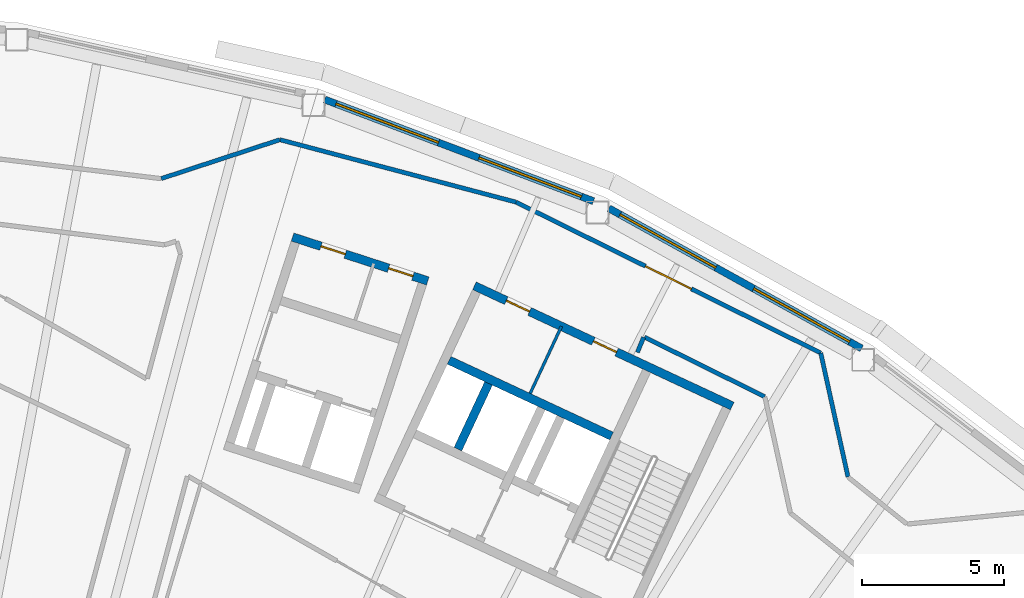
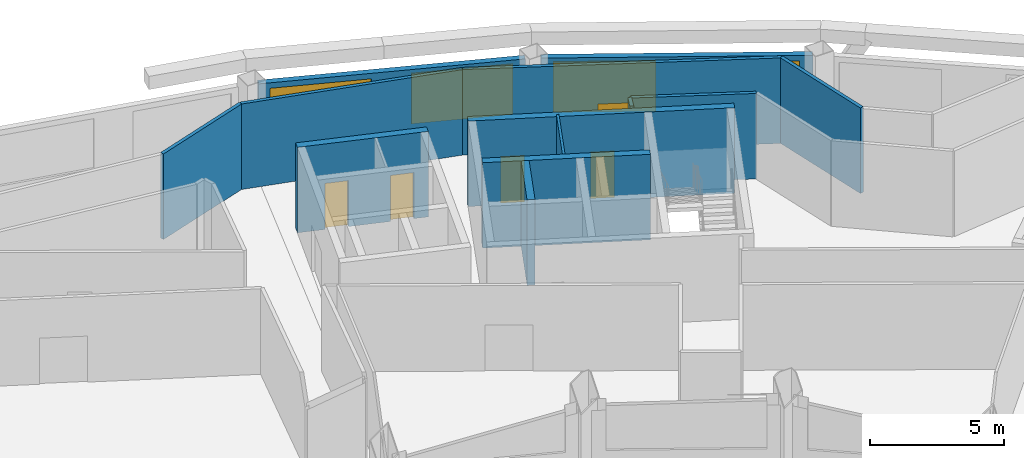
# One storey, part 10 of 13: 13 walls, 5 doors, 4 windows, 9 openings.
"""IFC4 building model written with IfcOpenShell, lengths in metres."""

from ifc_helpers import new_model, si_unit, direction, frame, frame_2d, origin, place, context, subcontext, project, spatial, rectangle, extrude, material, layer, layer_set, type_object, element, fill, save


model = new_model("IFC4")

# Units and contexts
model_context = context("Model", 3, precision=1e-05, world=origin(), true_north=direction((0.0, 1.0)))
body_context = subcontext(model_context, "Body", "Model", "MODEL_VIEW")
ifc_project = project(units=[si_unit("LENGTHUNIT", "METRE"), si_unit("AREAUNIT", "SQUARE_METRE"), si_unit("VOLUMEUNIT", "CUBIC_METRE"), si_unit("PLANEANGLEUNIT", "RADIAN"), si_unit("MASSUNIT", "GRAM", prefix="KILO")], contexts=[model_context])

# Site, building, storey
site_placement = place(None, origin())
site = spatial("IfcSite", under=ifc_project, at=site_placement, CompositionType="ELEMENT")
building_placement = place(site_placement, origin())
building = spatial("IfcBuilding", under=site, at=building_placement, Name="Tuul Gate Civic Tower", CompositionType="ELEMENT")
storey_placement = place(building_placement, frame((0.0, 0.0, 340.699951171875)))
storey = spatial("IfcBuildingStorey", under=building, at=storey_placement, Name="Level 77", CompositionType="ELEMENT", Elevation=340.699951171875)

# Wall
ifc_material_1 = material(Name="Concrete C50/60", Category="concrete")
ifc_layer_1 = layer(ifc_material_1, 0.300048828125)
ifc_layer_set_1 = layer_set([ifc_layer_1], Name="Concrete C50/60")
wall_type_1 = type_object("IfcWallType", Name="Core wall C50/60", PredefinedType="SHEAR", material=ifc_layer_set_1)
wall_1_placement = place(storey_placement, frame((33.75, -0.873779296875, 0.0), z_axis=(0.0, 0.0, 1.0), x_axis=(-0.906300917592, 0.422632992999, 0.0)))
element("IfcWall", 1, at=wall_1_placement, inside=storey, type_object=wall_type_1, Name="Core wall", PredefinedType="SHEAR", context=body_context, shape_type="SweptSolid", body=[
    extrude(rectangle(XDim=6.300048828125, YDim=0.300048828125, at=frame_2d((3.14990234375, 0.0))), origin(), (0.0, 0.0, 1.0), 3.900146484375),
])

# Wall, openings, doors
wall_2_placement = place(storey_placement, frame((37.993408203125, 0.181884765625, 0.0), z_axis=(0.0, 0.0, 1.0), x_axis=(-0.906310338845, 0.422612789327, 0.0)))
wall_2 = element("IfcWall", 2, at=wall_2_placement, inside=storey, type_object=wall_type_1, Name="Core wall", PredefinedType="SHEAR", context=body_context, shape_type="SweptSolid", body=[
    extrude(rectangle(XDim=9.999755859375, YDim=0.300048828125, at=frame_2d((5.0, 0.0))), origin(), (0.0, 0.0, 1.0), 3.900146484375),
])
opening_1_placement = place(wall_2_placement, frame((4.487548828125, 0.0, 0.0)))
opening_1 = element("IfcOpeningElement", 3, at=opening_1_placement, cuts=wall_2, Name="Opening AC-D21", PredefinedType="OPENING", context=body_context, shape_type="SweptSolid", body=[
    extrude(rectangle(XDim=0.89990234375, YDim=2.10009765625, at=frame_2d((0.449951171875, 1.050048828125))), frame((0.0, 0.16015625, 0.0), z_axis=(0.0, -1.0, 0.0), x_axis=(1.0, 0.0, 0.0)), (0.0, 0.0, 1.0), 0.320068359375),
])
opening_2_placement = place(wall_2_placement, frame((7.862548828125, 0.0, 0.0)))
opening_2 = element("IfcOpeningElement", 4, at=opening_2_placement, cuts=wall_2, Name="Opening AC-D22", PredefinedType="OPENING", context=body_context, shape_type="SweptSolid", body=[
    extrude(rectangle(XDim=0.89990234375, YDim=2.10009765625, at=frame_2d((0.449951171875, 1.050048828125))), frame((0.0, 0.16015625, 0.0), z_axis=(0.0, -1.0, 0.0), x_axis=(1.0, 0.0, 0.0)), (0.0, 0.0, 1.0), 0.320068359375),
])
ifc_material_2 = material(Name="Timber door leaf", Category="wood")
door_type_1 = type_object("IfcDoorType", Name="Door D09", OperationType="NOTDEFINED", PredefinedType="DOOR", material=ifc_material_2)
door_1_placement = place(opening_1_placement, origin())
door_1 = element("IfcDoor", 5, at=door_1_placement, inside=storey, type_object=door_type_1, Name="Door AC-D21", OperationType="SINGLE_SWING_LEFT", OverallHeight=2.10009765625, OverallWidth=0.89990234375, PredefinedType="DOOR", context=body_context, shape_type="SweptSolid", body=[
    extrude(rectangle(XDim=0.89990234375, YDim=2.10009765625, at=frame_2d((0.449951171875, 1.050048828125))), frame((0.0, 0.02490234375, 0.0), z_axis=(0.0, -1.0, 0.0), x_axis=(1.0, 0.0, 0.0)), (0.0, 0.0, 1.0), 0.050048828125),
])
fill(opening_1, door_1)
door_2_placement = place(opening_2_placement, origin())
door_2 = element("IfcDoor", 6, at=door_2_placement, inside=storey, type_object=door_type_1, Name="Door AC-D22", OperationType="SINGLE_SWING_RIGHT", OverallHeight=2.10009765625, OverallWidth=0.89990234375, PredefinedType="DOOR", context=body_context, shape_type="SweptSolid", body=[
    extrude(rectangle(XDim=0.89990234375, YDim=2.10009765625, at=frame_2d((0.449951171875, 1.050048828125))), frame((0.0, 0.02490234375, 0.0), z_axis=(0.0, -1.0, 0.0), x_axis=(1.0, 0.0, 0.0)), (0.0, 0.0, 1.0), 0.050048828125),
])
fill(opening_2, door_2)

# Walls
wall_3_placement = place(storey_placement, frame((28.349365234375, -1.33447265625, 0.0), z_axis=(0.0, 0.0, 1.0), x_axis=(0.422612891016, 0.906310291427, 0.0)))
element("IfcWall", 7, at=wall_3_placement, inside=storey, type_object=wall_type_1, Name="Core wall", PredefinedType="SHEAR", context=body_context, shape_type="SweptSolid", body=[
    extrude(rectangle(XDim=2.550048828125, YDim=0.300048828125, at=frame_2d((1.27490234375, 0.0))), origin(), (0.0, 0.0, 1.0), 3.900146484375),
])
ifc_material_3 = material(Name="Gypsum board partition")
ifc_layer_2 = layer(ifc_material_3, 0.14990234375)
ifc_layer_set_2 = layer_set([ifc_layer_2], Name="Gypsum board partition")
wall_type_2 = type_object("IfcWallType", Name="Corridor wall P150", PredefinedType="PARTITIONING", material=ifc_layer_set_2)
wall_4_placement = place(storey_placement, frame((41.104248046875, 2.045166015625, 0.0), z_axis=(0.0, 0.0, 1.0), x_axis=(0.214738530836, -0.976671573956, 0.0)))
element("IfcWall", 8, at=wall_4_placement, inside=storey, type_object=wall_type_2, Name="p010", PredefinedType="PARTITIONING", context=body_context, shape_type="SweptSolid", body=[
    extrude(rectangle(XDim=4.458984375, YDim=0.14990234375, at=frame_2d((2.2294921875, 0.0))), origin(), (0.0, 0.0, 1.0), 3.900146484375),
])

# Wall, opening, door
wall_5_placement = place(storey_placement, frame((30.394775390625, 7.347900390625, 0.0), z_axis=(0.0, 0.0, 1.0), x_axis=(0.896177337952, -0.443696043414, 0.0)))
wall_5 = element("IfcWall", 9, at=wall_5_placement, inside=storey, type_object=wall_type_2, Name="p011", PredefinedType="PARTITIONING", context=body_context, shape_type="SweptSolid", body=[
    extrude(rectangle(XDim=11.94970703125, YDim=0.14990234375, at=frame_2d((5.974853515625, 0.0))), origin(), (0.0, 0.0, 1.0), 3.900146484375),
])
opening_3_placement = place(wall_5_placement, frame((5.07470703125, 0.0, 0.0)))
opening_3 = element("IfcOpeningElement", 10, at=opening_3_placement, cuts=wall_5, Name="Opening AC-D01", PredefinedType="OPENING", context=body_context, shape_type="SweptSolid", body=[
    extrude(rectangle(XDim=1.800048828125, YDim=2.10009765625, at=frame_2d((0.89990234375, 1.050048828125))), frame((0.0, 0.0849609375, 0.0), z_axis=(0.0, -1.0, 0.0), x_axis=(1.0, 0.0, 0.0)), (0.0, 0.0, 1.0), 0.169921875),
])
ifc_material_4 = material(Name="Timber door leaf, double", Category="wood")
door_type_2 = type_object("IfcDoorType", Name="Door D18", OperationType="DOUBLE_DOOR_SINGLE_SWING", PredefinedType="DOOR", material=ifc_material_4)
door_3_placement = place(opening_3_placement, origin())
door_3 = element("IfcDoor", 11, at=door_3_placement, inside=storey, type_object=door_type_2, Name="Door AC-D01", OperationType="DOUBLE_DOOR_SINGLE_SWING", OverallHeight=2.10009765625, OverallWidth=1.800048828125, PredefinedType="DOOR", context=body_context, shape_type="SweptSolid", body=[
    extrude(rectangle(XDim=1.800048828125, YDim=2.10009765625, at=frame_2d((0.89990234375, 1.050048828125))), frame((0.0, 0.02490234375, 0.0), z_axis=(0.0, -1.0, 0.0), x_axis=(1.0, 0.0, 0.0)), (0.0, 0.0, 1.0), 0.050048828125),
])
fill(opening_3, door_3)

# Walls
wall_6_placement = place(storey_placement, frame((22.091796875, 9.543212890625, 0.0), z_axis=(0.0, 0.0, 1.0), x_axis=(0.96678481909, -0.255591693093, 0.0)))
element("IfcWall", 12, at=wall_6_placement, inside=storey, type_object=wall_type_2, Name="p012", PredefinedType="PARTITIONING", context=body_context, shape_type="SweptSolid", body=[
    extrude(rectangle(XDim=8.587158203125, YDim=0.14990234375, at=frame_2d((4.29345703125, 0.0))), origin(), (0.0, 0.0, 1.0), 3.900146484375),
])
wall_7_placement = place(storey_placement, frame((17.9208984375, 8.17578125, 0.0), z_axis=(0.0, 0.0, 1.0), x_axis=(0.950218471042, 0.311584430438, 0.0)))
element("IfcWall", 13, at=wall_7_placement, inside=storey, type_object=wall_type_2, Name="p013", PredefinedType="PARTITIONING", context=body_context, shape_type="SweptSolid", body=[
    extrude(rectangle(XDim=4.388671875, YDim=0.14990234375, at=frame_2d((2.1943359375, 0.0))), origin(), (0.0, 0.0, 1.0), 3.900146484375),
])
wall_8_placement = place(storey_placement, frame((34.659423828125, 2.06787109375, 0.0), z_axis=(0.0, 0.0, 1.0), x_axis=(0.380685118901, 0.924704731386, 0.0)))
element("IfcWall", 14, at=wall_8_placement, inside=storey, type_object=wall_type_2, Name="p080", PredefinedType="PARTITIONING", context=body_context, shape_type="SweptSolid", body=[
    extrude(rectangle(XDim=0.569580078125, YDim=0.14990234375, at=frame_2d((0.28466796875, 0.0))), origin(), (0.0, 0.0, 1.0), 3.900146484375),
])
wall_9_placement = place(storey_placement, frame((34.903564453125, 2.60498046875, 0.0), z_axis=(0.0, 0.0, 1.0), x_axis=(0.896170130976, -0.443710599769, 0.0)))
element("IfcWall", 15, at=wall_9_placement, inside=storey, type_object=wall_type_2, Name="p081", PredefinedType="PARTITIONING", context=body_context, shape_type="SweptSolid", body=[
    extrude(rectangle(XDim=4.716064453125, YDim=0.14990234375, at=frame_2d((2.35791015625, 0.0))), origin(), (0.0, 0.0, 1.0), 3.900146484375),
])

# Wall, openings, windows
ifc_material_5 = material(Name="Precast concrete C40/50", Category="concrete")
ifc_layer_3 = layer(ifc_material_5, 0.25)
ifc_layer_set_3 = layer_set([ifc_layer_3], Name="Precast concrete C40/50")
wall_type_3 = type_object("IfcWallType", Name="External wall", PredefinedType="STANDARD", material=ifc_layer_set_3)
wall_10_placement = place(storey_placement, frame((42.54345703125, 2.205078125, 0.0), z_axis=(0.0, 0.0, 1.0), x_axis=(-0.87463511472, 0.484781823193, 0.0)))
wall_10 = element("IfcWall", 16, at=wall_10_placement, inside=storey, type_object=wall_type_3, Name="External wall", PredefinedType="STANDARD", context=body_context, shape_type="SweptSolid", body=[
    extrude(rectangle(XDim=10.161376953125, YDim=0.25, at=frame_2d((5.08056640625, 0.0))), origin(), (0.0, 0.0, 1.0), 3.449951171875),
])
opening_4_placement = place(wall_10_placement, frame((0.48974609375, 0.0, 0.89990234375)))
opening_4 = element("IfcOpeningElement", 17, at=opening_4_placement, cuts=wall_10, Name="Opening W22", PredefinedType="OPENING", context=body_context, shape_type="SweptSolid", body=[
    extrude(rectangle(XDim=3.85009765625, YDim=2.300048828125, at=frame_2d((1.925048828125, 1.14990234375))), frame((0.0, 0.135009765625, 0.0), z_axis=(0.0, -1.0, 0.0), x_axis=(1.0, 0.0, 0.0)), (0.0, 0.0, 1.0), 0.27001953125),
])
opening_5_placement = place(wall_10_placement, frame((5.861328125, 0.0, 0.89990234375)))
opening_5 = element("IfcOpeningElement", 18, at=opening_5_placement, cuts=wall_10, Name="Opening W22", PredefinedType="OPENING", context=body_context, shape_type="SweptSolid", body=[
    extrude(rectangle(XDim=3.85009765625, YDim=2.300048828125, at=frame_2d((1.925048828125, 1.14990234375))), frame((0.0, 0.135009765625, 0.0), z_axis=(0.0, -1.0, 0.0), x_axis=(1.0, 0.0, 0.0)), (0.0, 0.0, 1.0), 0.27001953125),
])
ifc_material_6 = material(Name="Glass", Category="glass")
window_type = type_object("IfcWindowType", Name="Window W22 3850 x 2300", PartitioningType="SINGLE_PANEL", PredefinedType="WINDOW", material=ifc_material_6)
window_1_placement = place(opening_4_placement, origin())
window_1 = element("IfcWindow", 19, at=window_1_placement, inside=storey, type_object=window_type, Name="Window", OverallHeight=2.300048828125, OverallWidth=3.85009765625, PartitioningType="SINGLE_PANEL", PredefinedType="WINDOW", context=body_context, shape_type="SweptSolid", body=[
    extrude(rectangle(XDim=3.85009765625, YDim=2.300048828125, at=frame_2d((1.925048828125, 1.14990234375))), frame((0.0, 0.030029296875, 0.0), z_axis=(0.0, -1.0, 0.0), x_axis=(1.0, 0.0, 0.0)), (0.0, 0.0, 1.0), 0.06005859375),
])
fill(opening_4, window_1)
window_2_placement = place(opening_5_placement, origin())
window_2 = element("IfcWindow", 20, at=window_2_placement, inside=storey, type_object=window_type, Name="Window", OverallHeight=2.300048828125, OverallWidth=3.85009765625, PartitioningType="SINGLE_PANEL", PredefinedType="WINDOW", context=body_context, shape_type="SweptSolid", body=[
    extrude(rectangle(XDim=3.85009765625, YDim=2.300048828125, at=frame_2d((1.925048828125, 1.14990234375))), frame((0.0, 0.030029296875, 0.0), z_axis=(0.0, -1.0, 0.0), x_axis=(1.0, 0.0, 0.0)), (0.0, 0.0, 1.0), 0.06005859375),
])
fill(opening_5, window_2)

wall_11_placement = place(storey_placement, frame((33.115478515625, 7.382080078125, 0.0), z_axis=(0.0, 0.0, 1.0), x_axis=(-0.93534700963, 0.353731496444, 0.0)))
wall_11 = element("IfcWall", 21, at=wall_11_placement, inside=storey, type_object=wall_type_3, Name="External wall", PredefinedType="STANDARD", context=body_context, shape_type="SweptSolid", body=[
    extrude(rectangle(XDim=10.099609375, YDim=0.25, at=frame_2d((5.0498046875, 0.0))), origin(), (0.0, 0.0, 1.0), 3.449951171875),
])
opening_6_placement = place(wall_11_placement, frame((0.45556640625, 0.0, 0.89990234375)))
opening_6 = element("IfcOpeningElement", 22, at=opening_6_placement, cuts=wall_11, Name="Opening W22", PredefinedType="OPENING", context=body_context, shape_type="SweptSolid", body=[
    extrude(rectangle(XDim=3.85009765625, YDim=2.300048828125, at=frame_2d((1.925048828125, 1.14990234375))), frame((0.0, 0.135009765625, 0.0), z_axis=(0.0, -1.0, 0.0), x_axis=(1.0, 0.0, 0.0)), (0.0, 0.0, 1.0), 0.27001953125),
])
opening_7_placement = place(wall_11_placement, frame((5.826904296875, 0.0, 0.89990234375)))
opening_7 = element("IfcOpeningElement", 23, at=opening_7_placement, cuts=wall_11, Name="Opening W22", PredefinedType="OPENING", context=body_context, shape_type="SweptSolid", body=[
    extrude(rectangle(XDim=3.85009765625, YDim=2.300048828125, at=frame_2d((1.925048828125, 1.14990234375))), frame((0.0, 0.135009765625, 0.0), z_axis=(0.0, -1.0, 0.0), x_axis=(1.0, 0.0, 0.0)), (0.0, 0.0, 1.0), 0.27001953125),
])
window_3_placement = place(opening_6_placement, origin())
window_3 = element("IfcWindow", 24, at=window_3_placement, inside=storey, type_object=window_type, Name="Window", OverallHeight=2.300048828125, OverallWidth=3.85009765625, PartitioningType="SINGLE_PANEL", PredefinedType="WINDOW", context=body_context, shape_type="SweptSolid", body=[
    extrude(rectangle(XDim=3.85009765625, YDim=2.300048828125, at=frame_2d((1.925048828125, 1.14990234375))), frame((0.0, 0.030029296875, 0.0), z_axis=(0.0, -1.0, 0.0), x_axis=(1.0, 0.0, 0.0)), (0.0, 0.0, 1.0), 0.06005859375),
])
fill(opening_6, window_3)
window_4_placement = place(opening_7_placement, origin())
window_4 = element("IfcWindow", 25, at=window_4_placement, inside=storey, type_object=window_type, Name="Window", OverallHeight=2.300048828125, OverallWidth=3.85009765625, PartitioningType="SINGLE_PANEL", PredefinedType="WINDOW", context=body_context, shape_type="SweptSolid", body=[
    extrude(rectangle(XDim=3.85009765625, YDim=2.300048828125, at=frame_2d((1.925048828125, 1.14990234375))), frame((0.0, 0.030029296875, 0.0), z_axis=(0.0, -1.0, 0.0), x_axis=(1.0, 0.0, 0.0)), (0.0, 0.0, 1.0), 0.06005859375),
])
fill(opening_7, window_4)

# Wall, openings, doors
ifc_material_7 = material(Name="Concrete C40/50", Category="concrete")
ifc_layer_4 = layer(ifc_material_7, 0.300048828125)
ifc_layer_set_4 = layer_set([ifc_layer_4], Name="Concrete C40/50")
wall_type_4 = type_object("IfcWallType", Name="Lift shaft wall C40/50", PredefinedType="STANDARD", material=ifc_layer_set_4)
wall_12_placement = place(storey_placement, frame((27.29150390625, 4.57666015625, 0.0), z_axis=(0.0, 0.0, 1.0), x_axis=(-0.951067792613, 0.308982287281, 0.0)))
wall_12 = element("IfcWall", 26, at=wall_12_placement, inside=storey, type_object=wall_type_4, Name="Shaft wall", PredefinedType="STANDARD", context=body_context, shape_type="SweptSolid", body=[
    extrude(rectangle(XDim=5.0, YDim=0.300048828125, at=frame_2d((2.5, 0.0))), origin(), (0.0, 0.0, 1.0), 3.900146484375),
])
opening_8_placement = place(wall_12_placement, frame((0.550048828125, 0.0, 0.0)))
opening_8 = element("IfcOpeningElement", 27, at=opening_8_placement, cuts=wall_12, Name="Opening AC-D23", PredefinedType="OPENING", context=body_context, shape_type="SweptSolid", body=[
    extrude(rectangle(XDim=0.89990234375, YDim=2.10009765625, at=frame_2d((0.449951171875, 1.050048828125))), frame((0.0, 0.16015625, 0.0), z_axis=(0.0, -1.0, 0.0), x_axis=(1.0, 0.0, 0.0)), (0.0, 0.0, 1.0), 0.320068359375),
])
opening_9_placement = place(wall_12_placement, frame((3.050048828125, 0.0, 0.0)))
opening_9 = element("IfcOpeningElement", 28, at=opening_9_placement, cuts=wall_12, Name="Opening AC-D24", PredefinedType="OPENING", context=body_context, shape_type="SweptSolid", body=[
    extrude(rectangle(XDim=0.89990234375, YDim=2.10009765625, at=frame_2d((0.449951171875, 1.050048828125))), frame((0.0, 0.16015625, 0.0), z_axis=(0.0, -1.0, 0.0), x_axis=(1.0, 0.0, 0.0)), (0.0, 0.0, 1.0), 0.320068359375),
])
door_4_placement = place(opening_8_placement, origin())
door_4 = element("IfcDoor", 29, at=door_4_placement, inside=storey, type_object=door_type_1, Name="Door AC-D23", OperationType="SINGLE_SWING_LEFT", OverallHeight=2.10009765625, OverallWidth=0.89990234375, PredefinedType="DOOR", context=body_context, shape_type="SweptSolid", body=[
    extrude(rectangle(XDim=0.89990234375, YDim=2.10009765625, at=frame_2d((0.449951171875, 1.050048828125))), frame((0.0, 0.02490234375, 0.0), z_axis=(0.0, -1.0, 0.0), x_axis=(1.0, 0.0, 0.0)), (0.0, 0.0, 1.0), 0.050048828125),
])
fill(opening_8, door_4)
door_5_placement = place(opening_9_placement, origin())
door_5 = element("IfcDoor", 30, at=door_5_placement, inside=storey, type_object=door_type_1, Name="Door AC-D24", OperationType="SINGLE_SWING_RIGHT", OverallHeight=2.10009765625, OverallWidth=0.89990234375, PredefinedType="DOOR", context=body_context, shape_type="SweptSolid", body=[
    extrude(rectangle(XDim=0.89990234375, YDim=2.10009765625, at=frame_2d((0.449951171875, 1.050048828125))), frame((0.0, 0.02490234375, 0.0), z_axis=(0.0, -1.0, 0.0), x_axis=(1.0, 0.0, 0.0)), (0.0, 0.0, 1.0), 0.050048828125),
])
fill(opening_9, door_5)

# Wall
ifc_material_8 = material(Name="Gypsum board partition")
ifc_layer_5 = layer(ifc_material_8, 0.10009765625)
ifc_layer_set_5 = layer_set([ifc_layer_5], Name="Gypsum board partition")
wall_type_5 = type_object("IfcWallType", Name="Partition P100", PredefinedType="PARTITIONING", material=ifc_layer_set_5)
wall_13_placement = place(storey_placement, frame((30.890380859375, 0.625, 0.0), z_axis=(0.0, 0.0, 1.0), x_axis=(0.422597606916, 0.906317418253, 0.0)))
element("IfcWall", 31, at=wall_13_placement, inside=storey, type_object=wall_type_5, Name="bE3-BAND-0", PredefinedType="PARTITIONING", context=body_context, shape_type="SweptSolid", body=[
    extrude(rectangle(XDim=2.600341796875, YDim=0.10009765625, at=frame_2d((1.30029296875, 0.0))), origin(), (0.0, 0.0, 1.0), 3.900146484375),
])

save(model, "model.ifc")
